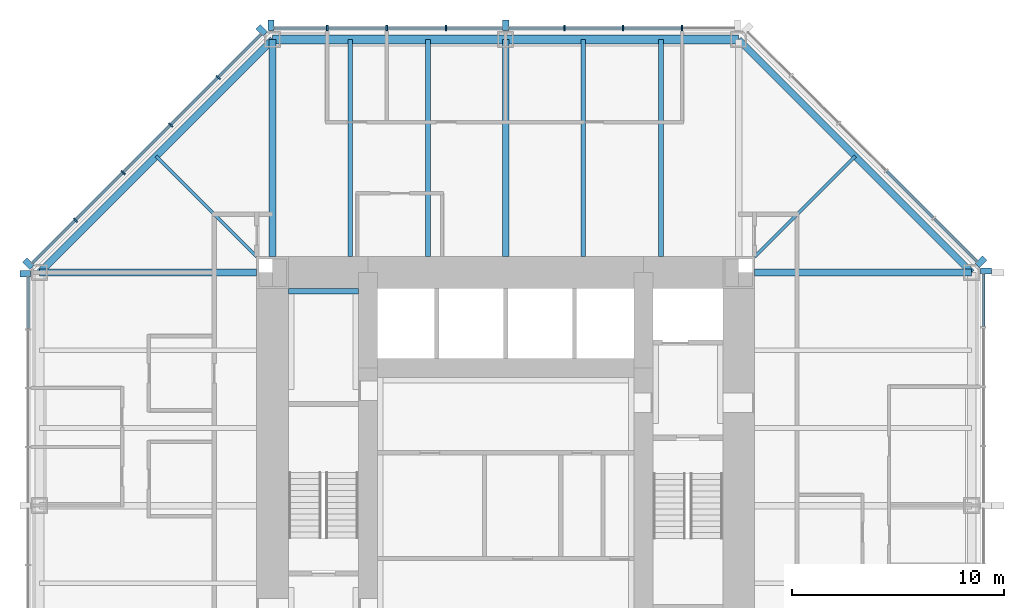
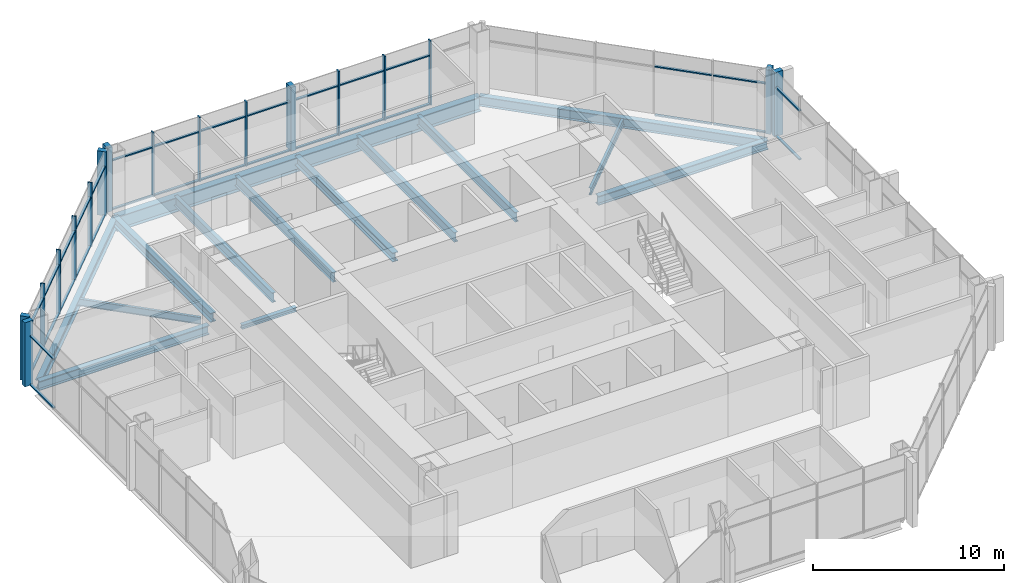
# One storey, part 5 of 12: 49 members, 15 beams, 5 elements without a shape of their own.
"""IFC4 building model written with IfcOpenShell, lengths in metres."""

from ifc_helpers import new_model, si_unit, direction, frame, origin, origin_2d, place, context, subcontext, project, spatial, rectangle, i_section, extrude, material, material_profile, profile_set, type_object, element, aggregate, save


model = new_model("IFC4")

# Units and contexts
model_context = context("Model", 3, precision=1e-05, world=origin(), true_north=direction((0.0, 1.0)))
body_context = subcontext(model_context, "Body", "Model", "MODEL_VIEW")
ifc_project = project(units=[si_unit("LENGTHUNIT", "METRE"), si_unit("AREAUNIT", "SQUARE_METRE"), si_unit("VOLUMEUNIT", "CUBIC_METRE"), si_unit("PLANEANGLEUNIT", "RADIAN"), si_unit("MASSUNIT", "GRAM", prefix="KILO")], contexts=[model_context])

# Site, building, storey
site_placement = place(None, origin())
site = spatial("IfcSite", under=ifc_project, at=site_placement, CompositionType="ELEMENT")
building_placement = place(site_placement, origin())
building = spatial("IfcBuilding", under=site, at=building_placement, Name="Trevanion Tower", CompositionType="ELEMENT")
storey_placement = place(building_placement, frame((0.0, 0.0, 137.699951171875)))
storey = spatial("IfcBuildingStorey", under=building, at=storey_placement, Name="L32", CompositionType="ELEMENT", Elevation=137.699951171875)

# Beams
ifc_material_1 = material(Name="Steel ASTM A992 Grade 50", Category="steel")
ifc_material_profile_1 = material_profile(ifc_material_1, i_section(OverallWidth=0.22900390625, OverallDepth=0.612060546875, WebThickness=0.011962890625, FlangeThickness=0.01953125, at=origin_2d()), Name="W24X84")
ifc_profile_set_1 = profile_set([ifc_material_profile_1], Name="Steel ASTM A992 Grade 50")
beam_type_1 = type_object("IfcBeamType", Name="B7 W24X84", PredefinedType="BEAM", material=ifc_profile_set_1)
for number, where, z_axis, x_axis, name in (
    (1, (7.333251953125, 11.75, -0.49609375), (0.0, 1.0, 0.0), (-1.0, 0.0, 0.0), "B7 L32"),
    (2, (3.666748046875, 11.75, -0.49609375), (0.0, 1.0, 0.0), (-1.0, 0.0, 0.0), "B7 L32"),
    (3, (-3.666748046875, 11.75, -0.49609375), (0.0, 1.0, 0.0), (-1.0, 0.0, 0.0), "B7 L32"),
    (4, (-7.333251953125, 11.75, -0.49609375), (0.0, 1.0, 0.0), (-1.0, 0.0, 0.0), "B7 L32"),
):
    element("IfcBeam", number, at=place(storey_placement, frame(where, z_axis=z_axis, x_axis=x_axis)), inside=storey, type_object=beam_type_1, Name=name, PredefinedType="BEAM", context=body_context, shape_type="SweptSolid", body=[
        extrude(i_section(OverallWidth=0.22900390625, OverallDepth=0.612060546875, WebThickness=0.011962890625, FlangeThickness=0.01953125, at=origin_2d()), origin(), (0.0, 0.0, 1.0), 10.25),
    ])
ifc_material_2 = material(Name="Steel ASTM A992 Grade 50", Category="steel")
ifc_material_profile_2 = material_profile(ifc_material_2, i_section(OverallWidth=0.15234375, OverallDepth=0.449462890625, WebThickness=0.007568359375, FlangeThickness=0.0107421875, at=origin_2d()), Name="W18X35")
ifc_profile_set_2 = profile_set([ifc_material_profile_2], Name="Steel ASTM A992 Grade 50")
beam_type_2 = type_object("IfcBeamType", Name="B8 W18X35", PredefinedType="BEAM", material=ifc_profile_set_2)
for number, where, z_axis, x_axis, name in (
    (5, (11.75, 11.75, -0.414794921875), (0.707106781187, 0.707106781187, 0.0), (-0.707106781187, 0.707106781187, 0.0), "B8 L32"),
    (6, (-11.75, 11.75, -0.414794921875), (-0.707106781187, 0.707106781187, 0.0), (-0.707106781187, -0.707106781187, 0.0), "B8 L32"),
):
    element("IfcBeam", number, at=place(storey_placement, frame(where, z_axis=z_axis, x_axis=x_axis)), inside=storey, type_object=beam_type_2, Name=name, PredefinedType="BEAM", context=body_context, shape_type="SweptSolid", body=[
        extrude(i_section(OverallWidth=0.15234375, OverallDepth=0.449462890625, WebThickness=0.007568359375, FlangeThickness=0.0107421875, at=origin_2d()), origin(), (0.0, 0.0, 1.0), 6.717529296875),
    ])

# Curtain wall, members
ifc_material_3 = material(Name="Aluminium and glass", Category="aluminium")
curtain_wall_type = type_object("IfcCurtainWallType", Name="CW2 curtain wall", PredefinedType="USERDEFINED", material=ifc_material_3)
curtain_wall_1_placement = place(storey_placement, origin())
curtain_wall_1 = element("IfcCurtainWall", 7, at=curtain_wall_1_placement, inside=storey, type_object=curtain_wall_type, Name="CW2 L32 2", ObjectType="UNITISED CURTAIN WALL", PredefinedType="USERDEFINED")
ifc_material_4 = material(Name="Aluminium extrusion, anodised bronze", Category="aluminium")
ifc_material_profile_3 = material_profile(ifc_material_4, rectangle(XDim=0.074951171875, YDim=0.25, at=origin_2d()), Name="CW2 mullion")
ifc_profile_set_3 = profile_set([ifc_material_profile_3], Name="Aluminium extrusion, anodised bronze")
member_type_1 = type_object("IfcMemberType", Name="CW2 mullion", PredefinedType="MULLION", material=ifc_profile_set_3)
member_1_placement = place(storey_placement, frame((8.323486328125, 22.550048828125, -0.18994140625), z_axis=(0.0, 0.0, 1.0), x_axis=(-1.0, 0.0, 0.0)))
member_1 = element("IfcMember", 8, at=member_1_placement, type_object=member_type_1, Name="CW2 mullion 2", PredefinedType="MULLION", context=body_context, shape_type="SweptSolid", body=[
    extrude(rectangle(XDim=0.074951171875, YDim=0.25, at=origin_2d()), origin(), (0.0, 0.0, 1.0), 4.10009765625),
])
member_2_placement = place(storey_placement, frame((5.548828125, 22.550048828125, -0.18994140625), z_axis=(0.0, 0.0, 1.0), x_axis=(-1.0, 0.0, 0.0)))
member_2 = element("IfcMember", 9, at=member_2_placement, type_object=member_type_1, Name="CW2 mullion 3", PredefinedType="MULLION", context=body_context, shape_type="SweptSolid", body=[
    extrude(rectangle(XDim=0.074951171875, YDim=0.25, at=origin_2d()), origin(), (0.0, 0.0, 1.0), 4.10009765625),
])
member_3_placement = place(storey_placement, frame((2.7744140625, 22.550048828125, -0.18994140625), z_axis=(0.0, 0.0, 1.0), x_axis=(-1.0, 0.0, 0.0)))
member_3 = element("IfcMember", 10, at=member_3_placement, type_object=member_type_1, Name="CW2 mullion 4", PredefinedType="MULLION", context=body_context, shape_type="SweptSolid", body=[
    extrude(rectangle(XDim=0.074951171875, YDim=0.25, at=origin_2d()), origin(), (0.0, 0.0, 1.0), 4.10009765625),
])
member_4_placement = place(storey_placement, frame((-2.806884765625, 22.550048828125, -0.18994140625), z_axis=(0.0, 0.0, 1.0), x_axis=(-1.0, 0.0, 0.0)))
member_4 = element("IfcMember", 11, at=member_4_placement, type_object=member_type_1, Name="CW2 mullion 6", PredefinedType="MULLION", context=body_context, shape_type="SweptSolid", body=[
    extrude(rectangle(XDim=0.074951171875, YDim=0.25, at=origin_2d()), origin(), (0.0, 0.0, 1.0), 4.10009765625),
])
member_5_placement = place(storey_placement, frame((-5.614013671875, 22.550048828125, -0.18994140625), z_axis=(0.0, 0.0, 1.0), x_axis=(-1.0, 0.0, 0.0)))
member_5 = element("IfcMember", 12, at=member_5_placement, type_object=member_type_1, Name="CW2 mullion 7", PredefinedType="MULLION", context=body_context, shape_type="SweptSolid", body=[
    extrude(rectangle(XDim=0.074951171875, YDim=0.25, at=origin_2d()), origin(), (0.0, 0.0, 1.0), 4.10009765625),
])
member_6_placement = place(storey_placement, frame((-8.4208984375, 22.550048828125, -0.18994140625), z_axis=(0.0, 0.0, 1.0), x_axis=(-1.0, 0.0, 0.0)))
member_6 = element("IfcMember", 13, at=member_6_placement, type_object=member_type_1, Name="CW2 mullion 8", PredefinedType="MULLION", context=body_context, shape_type="SweptSolid", body=[
    extrude(rectangle(XDim=0.074951171875, YDim=0.25, at=origin_2d()), origin(), (0.0, 0.0, 1.0), 4.10009765625),
])

curtain_wall_2_placement = place(storey_placement, origin())
curtain_wall_2 = element("IfcCurtainWall", 14, at=curtain_wall_2_placement, inside=storey, type_object=curtain_wall_type, Name="CW2 L32 3", ObjectType="UNITISED CURTAIN WALL", PredefinedType="USERDEFINED")
member_7_placement = place(storey_placement, frame((-13.56591796875, 20.2119140625, -0.18994140625), z_axis=(0.0, 0.0, 1.0), x_axis=(-0.707106781187, -0.707106781187, 0.0)))
member_7 = element("IfcMember", 15, at=member_7_placement, type_object=member_type_1, Name="CW2 mullion 2", PredefinedType="MULLION", context=body_context, shape_type="SweptSolid", body=[
    extrude(rectangle(XDim=0.074951171875, YDim=0.25, at=origin_2d()), origin(), (0.0, 0.0, 1.0), 4.10009765625),
])
member_8_placement = place(storey_placement, frame((-15.811767578125, 17.966064453125, -0.18994140625), z_axis=(0.0, 0.0, 1.0), x_axis=(-0.707106781187, -0.707106781187, 0.0)))
member_8 = element("IfcMember", 16, at=member_8_placement, type_object=member_type_1, Name="CW2 mullion 3", PredefinedType="MULLION", context=body_context, shape_type="SweptSolid", body=[
    extrude(rectangle(XDim=0.074951171875, YDim=0.25, at=origin_2d()), origin(), (0.0, 0.0, 1.0), 4.10009765625),
])
member_9_placement = place(storey_placement, frame((-18.057861328125, 15.719970703125, -0.18994140625), z_axis=(0.0, 0.0, 1.0), x_axis=(-0.707106781187, -0.707106781187, 0.0)))
member_9 = element("IfcMember", 17, at=member_9_placement, type_object=member_type_1, Name="CW2 mullion 4", PredefinedType="MULLION", context=body_context, shape_type="SweptSolid", body=[
    extrude(rectangle(XDim=0.074951171875, YDim=0.25, at=origin_2d()), origin(), (0.0, 0.0, 1.0), 4.10009765625),
])
member_10_placement = place(storey_placement, frame((-20.303955078125, 13.473876953125, -0.18994140625), z_axis=(0.0, 0.0, 1.0), x_axis=(-0.707106781187, -0.707106781187, 0.0)))
member_10 = element("IfcMember", 18, at=member_10_placement, type_object=member_type_1, Name="CW2 mullion 5", PredefinedType="MULLION", context=body_context, shape_type="SweptSolid", body=[
    extrude(rectangle(XDim=0.074951171875, YDim=0.25, at=origin_2d()), origin(), (0.0, 0.0, 1.0), 4.10009765625),
])

# Curtain wall, member
curtain_wall_3_placement = place(storey_placement, origin())
curtain_wall_3 = element("IfcCurtainWall", 19, at=curtain_wall_3_placement, inside=storey, type_object=curtain_wall_type, Name="CW2 L32 0", ObjectType="UNITISED CURTAIN WALL", PredefinedType="USERDEFINED")
ifc_material_5 = material(Name="Aluminium extrusion, anodised bronze", Category="aluminium")
ifc_material_profile_4 = material_profile(ifc_material_5, rectangle(XDim=0.300048828125, YDim=0.5, at=origin_2d()), Name="CW2 pier mullion")
ifc_profile_set_4 = profile_set([ifc_material_profile_4], Name="Aluminium extrusion, anodised bronze")
member_type_2 = type_object("IfcMemberType", Name="CW2 pier mullion", PredefinedType="MULLION", material=ifc_profile_set_4)
member_11_placement = place(storey_placement, frame((22.675048828125, 11.077880859375, -0.18994140625), z_axis=(0.0, 0.0, 1.0), x_axis=(0.0, 1.0, 0.0)))
member_11 = element("IfcMember", 20, at=member_11_placement, type_object=member_type_2, Name="CW2 pier mullion 9", PredefinedType="MULLION", context=body_context, shape_type="SweptSolid", body=[
    extrude(rectangle(XDim=0.300048828125, YDim=0.5, at=origin_2d()), origin(), (0.0, 0.0, 1.0), 4.10009765625),
])

curtain_wall_4_placement = place(storey_placement, origin())
curtain_wall_4 = element("IfcCurtainWall", 21, at=curtain_wall_4_placement, inside=storey, type_object=curtain_wall_type, Name="CW2 L32 1", ObjectType="UNITISED CURTAIN WALL", PredefinedType="USERDEFINED")
member_12_placement = place(storey_placement, frame((22.4404296875, 11.51416015625, -0.18994140625), z_axis=(0.0, 0.0, 1.0), x_axis=(-0.707106781187, 0.707106781187, 0.0)))
member_12 = element("IfcMember", 22, at=member_12_placement, type_object=member_type_2, Name="CW2 pier mullion 1", PredefinedType="MULLION", context=body_context, shape_type="SweptSolid", body=[
    extrude(rectangle(XDim=0.300048828125, YDim=0.5, at=origin_2d()), origin(), (0.0, 0.0, 1.0), 4.10009765625),
])

# Member
member_13_placement = place(storey_placement, frame((0.0, 22.675048828125, -0.18994140625), z_axis=(0.0, 0.0, 1.0), x_axis=(-1.0, 0.0, 0.0)))
member_13 = element("IfcMember", 23, at=member_13_placement, type_object=member_type_2, Name="CW2 pier mullion 5", PredefinedType="MULLION", context=body_context, shape_type="SweptSolid", body=[
    extrude(rectangle(XDim=0.300048828125, YDim=0.5, at=origin_2d()), origin(), (0.0, 0.0, 1.0), 4.10009765625),
])

member_14_placement = place(storey_placement, frame((-11.077880859375, 22.675048828125, -0.18994140625), z_axis=(0.0, 0.0, 1.0), x_axis=(-1.0, 0.0, 0.0)))
member_14 = element("IfcMember", 24, at=member_14_placement, type_object=member_type_2, Name="CW2 pier mullion 9", PredefinedType="MULLION", context=body_context, shape_type="SweptSolid", body=[
    extrude(rectangle(XDim=0.300048828125, YDim=0.5, at=origin_2d()), origin(), (0.0, 0.0, 1.0), 4.10009765625),
])

member_15_placement = place(storey_placement, frame((-11.51416015625, 22.4404296875, -0.18994140625), z_axis=(0.0, 0.0, 1.0), x_axis=(-0.707106781187, -0.707106781187, 0.0)))
member_15 = element("IfcMember", 25, at=member_15_placement, type_object=member_type_2, Name="CW2 pier mullion 1", PredefinedType="MULLION", context=body_context, shape_type="SweptSolid", body=[
    extrude(rectangle(XDim=0.300048828125, YDim=0.5, at=origin_2d()), origin(), (0.0, 0.0, 1.0), 4.10009765625),
])

member_16_placement = place(storey_placement, frame((-22.5322265625, 11.42236328125, -0.18994140625), z_axis=(0.0, 0.0, 1.0), x_axis=(-0.707106781187, -0.707106781187, 0.0)))
member_16 = element("IfcMember", 26, at=member_16_placement, type_object=member_type_2, Name="CW2 pier mullion 6", PredefinedType="MULLION", context=body_context, shape_type="SweptSolid", body=[
    extrude(rectangle(XDim=0.300048828125, YDim=0.5, at=origin_2d()), origin(), (0.0, 0.0, 1.0), 4.10009765625),
])

# Curtain wall, member
curtain_wall_5_placement = place(storey_placement, origin())
curtain_wall_5 = element("IfcCurtainWall", 27, at=curtain_wall_5_placement, inside=storey, type_object=curtain_wall_type, Name="CW2 L32 4", ObjectType="UNITISED CURTAIN WALL", PredefinedType="USERDEFINED")
member_17_placement = place(storey_placement, frame((-22.675048828125, 10.94775390625, -0.18994140625), z_axis=(0.0, 0.0, 1.0), x_axis=(0.0, -1.0, 0.0)))
member_17 = element("IfcMember", 28, at=member_17_placement, type_object=member_type_2, Name="CW2 pier mullion 1", PredefinedType="MULLION", context=body_context, shape_type="SweptSolid", body=[
    extrude(rectangle(XDim=0.300048828125, YDim=0.5, at=origin_2d()), origin(), (0.0, 0.0, 1.0), 4.10009765625),
])

# Member
ifc_material_6 = material(Name="Aluminium extrusion, anodised bronze", Category="aluminium")
ifc_material_profile_5 = material_profile(ifc_material_6, rectangle(XDim=0.14990234375, YDim=0.074951171875, at=origin_2d()), Name="CW2 transom")
ifc_profile_set_5 = profile_set([ifc_material_profile_5], Name="Aluminium extrusion, anodised bronze")
member_type_3 = type_object("IfcMemberType", Name="CW2 transom", PredefinedType="USERDEFINED", material=ifc_profile_set_5)
member_18_placement = place(storey_placement, frame((22.550048828125, 8.45849609375, -0.15234375), z_axis=(0.0, 1.0, 0.0), x_axis=(-1.0, 0.0, 0.0)))
member_18 = element("IfcMember", 29, at=member_18_placement, type_object=member_type_3, Name="CW2 transom 8.1", ObjectType="TRANSOM", PredefinedType="USERDEFINED", context=body_context, shape_type="SweptSolid", body=[
    extrude(rectangle(XDim=0.14990234375, YDim=0.074951171875, at=origin_2d()), origin(), (0.0, 0.0, 1.0), 2.46923828125),
])

member_19_placement = place(storey_placement, frame((22.550048828125, 8.45849609375, 2.9599609375), z_axis=(0.0, 1.0, 0.0), x_axis=(-1.0, 0.0, 0.0)))
member_19 = element("IfcMember", 30, at=member_19_placement, type_object=member_type_3, Name="CW2 transom 8.2", ObjectType="TRANSOM", PredefinedType="USERDEFINED", context=body_context, shape_type="SweptSolid", body=[
    extrude(rectangle(XDim=0.14990234375, YDim=0.074951171875, at=origin_2d()), origin(), (0.0, 0.0, 1.0), 2.46923828125),
])

aggregate(curtain_wall_3, [member_11, member_18, member_19])

member_20_placement = place(storey_placement, frame((22.245849609375, 11.531982421875, -0.15234375), z_axis=(-0.707106781187, 0.707106781187, 0.0), x_axis=(-0.707106781187, -0.707106781187, 0.0)))
member_20 = element("IfcMember", 31, at=member_20_placement, type_object=member_type_3, Name="CW2 transom 1.1", ObjectType="TRANSOM", PredefinedType="USERDEFINED", context=body_context, shape_type="SweptSolid", body=[
    extrude(rectangle(XDim=0.14990234375, YDim=0.074951171875, at=origin_2d()), origin(), (0.0, 0.0, 1.0), 2.8388671875),
])

member_21_placement = place(storey_placement, frame((22.245849609375, 11.531982421875, 2.9599609375), z_axis=(-0.707106781187, 0.707106781187, 0.0), x_axis=(-0.707106781187, -0.707106781187, 0.0)))
member_21 = element("IfcMember", 32, at=member_21_placement, type_object=member_type_3, Name="CW2 transom 1.2", ObjectType="TRANSOM", PredefinedType="USERDEFINED", context=body_context, shape_type="SweptSolid", body=[
    extrude(rectangle(XDim=0.14990234375, YDim=0.074951171875, at=origin_2d()), origin(), (0.0, 0.0, 1.0), 2.8388671875),
])

member_22_placement = place(storey_placement, frame((20.185546875, 13.59228515625, -0.15234375), z_axis=(-0.707106781187, 0.707106781187, 0.0), x_axis=(-0.707106781187, -0.707106781187, 0.0)))
member_22 = element("IfcMember", 33, at=member_22_placement, type_object=member_type_3, Name="CW2 transom 2.1", ObjectType="TRANSOM", PredefinedType="USERDEFINED", context=body_context, shape_type="SweptSolid", body=[
    extrude(rectangle(XDim=0.14990234375, YDim=0.074951171875, at=origin_2d()), origin(), (0.0, 0.0, 1.0), 3.1015625),
])

member_23_placement = place(storey_placement, frame((20.185546875, 13.59228515625, 2.9599609375), z_axis=(-0.707106781187, 0.707106781187, 0.0), x_axis=(-0.707106781187, -0.707106781187, 0.0)))
member_23 = element("IfcMember", 34, at=member_23_placement, type_object=member_type_3, Name="CW2 transom 2.2", ObjectType="TRANSOM", PredefinedType="USERDEFINED", context=body_context, shape_type="SweptSolid", body=[
    extrude(rectangle(XDim=0.14990234375, YDim=0.074951171875, at=origin_2d()), origin(), (0.0, 0.0, 1.0), 3.1015625),
])

aggregate(curtain_wall_4, [member_12, member_20, member_21, member_22, member_23])

member_24_placement = place(storey_placement, frame((8.285888671875, 22.550048828125, -0.15234375), z_axis=(-1.0, 0.0, 0.0), x_axis=(0.0, -1.0, 0.0)))
member_24 = element("IfcMember", 35, at=member_24_placement, type_object=member_type_3, Name="CW2 transom 2.1", ObjectType="TRANSOM", PredefinedType="USERDEFINED", context=body_context, shape_type="SweptSolid", body=[
    extrude(rectangle(XDim=0.14990234375, YDim=0.074951171875, at=origin_2d()), origin(), (0.0, 0.0, 1.0), 2.699462890625),
])

member_25_placement = place(storey_placement, frame((8.285888671875, 22.550048828125, 2.9599609375), z_axis=(-1.0, 0.0, 0.0), x_axis=(0.0, -1.0, 0.0)))
member_25 = element("IfcMember", 36, at=member_25_placement, type_object=member_type_3, Name="CW2 transom 2.2", ObjectType="TRANSOM", PredefinedType="USERDEFINED", context=body_context, shape_type="SweptSolid", body=[
    extrude(rectangle(XDim=0.14990234375, YDim=0.074951171875, at=origin_2d()), origin(), (0.0, 0.0, 1.0), 2.699462890625),
])

member_26_placement = place(storey_placement, frame((5.511474609375, 22.550048828125, -0.15234375), z_axis=(-1.0, 0.0, 0.0), x_axis=(0.0, -1.0, 0.0)))
member_26 = element("IfcMember", 37, at=member_26_placement, type_object=member_type_3, Name="CW2 transom 3.1", ObjectType="TRANSOM", PredefinedType="USERDEFINED", context=body_context, shape_type="SweptSolid", body=[
    extrude(rectangle(XDim=0.14990234375, YDim=0.074951171875, at=origin_2d()), origin(), (0.0, 0.0, 1.0), 2.699462890625),
])

member_27_placement = place(storey_placement, frame((5.511474609375, 22.550048828125, 2.9599609375), z_axis=(-1.0, 0.0, 0.0), x_axis=(0.0, -1.0, 0.0)))
member_27 = element("IfcMember", 38, at=member_27_placement, type_object=member_type_3, Name="CW2 transom 3.2", ObjectType="TRANSOM", PredefinedType="USERDEFINED", context=body_context, shape_type="SweptSolid", body=[
    extrude(rectangle(XDim=0.14990234375, YDim=0.074951171875, at=origin_2d()), origin(), (0.0, 0.0, 1.0), 2.699462890625),
])

member_28_placement = place(storey_placement, frame((2.737060546875, 22.550048828125, -0.15234375), z_axis=(-1.0, 0.0, 0.0), x_axis=(0.0, -1.0, 0.0)))
member_28 = element("IfcMember", 39, at=member_28_placement, type_object=member_type_3, Name="CW2 transom 4.1", ObjectType="TRANSOM", PredefinedType="USERDEFINED", context=body_context, shape_type="SweptSolid", body=[
    extrude(rectangle(XDim=0.14990234375, YDim=0.074951171875, at=origin_2d()), origin(), (0.0, 0.0, 1.0), 2.587158203125),
])

member_29_placement = place(storey_placement, frame((2.737060546875, 22.550048828125, 2.9599609375), z_axis=(-1.0, 0.0, 0.0), x_axis=(0.0, -1.0, 0.0)))
member_29 = element("IfcMember", 40, at=member_29_placement, type_object=member_type_3, Name="CW2 transom 4.2", ObjectType="TRANSOM", PredefinedType="USERDEFINED", context=body_context, shape_type="SweptSolid", body=[
    extrude(rectangle(XDim=0.14990234375, YDim=0.074951171875, at=origin_2d()), origin(), (0.0, 0.0, 1.0), 2.587158203125),
])

member_30_placement = place(storey_placement, frame((-0.14990234375, 22.550048828125, -0.15234375), z_axis=(-1.0, 0.0, 0.0), x_axis=(0.0, -1.0, 0.0)))
member_30 = element("IfcMember", 41, at=member_30_placement, type_object=member_type_3, Name="CW2 transom 5.1", ObjectType="TRANSOM", PredefinedType="USERDEFINED", context=body_context, shape_type="SweptSolid", body=[
    extrude(rectangle(XDim=0.14990234375, YDim=0.074951171875, at=origin_2d()), origin(), (0.0, 0.0, 1.0), 2.619384765625),
])

member_31_placement = place(storey_placement, frame((-0.14990234375, 22.550048828125, 2.9599609375), z_axis=(-1.0, 0.0, 0.0), x_axis=(0.0, -1.0, 0.0)))
member_31 = element("IfcMember", 42, at=member_31_placement, type_object=member_type_3, Name="CW2 transom 5.2", ObjectType="TRANSOM", PredefinedType="USERDEFINED", context=body_context, shape_type="SweptSolid", body=[
    extrude(rectangle(XDim=0.14990234375, YDim=0.074951171875, at=origin_2d()), origin(), (0.0, 0.0, 1.0), 2.619384765625),
])

member_32_placement = place(storey_placement, frame((-2.844482421875, 22.550048828125, -0.15234375), z_axis=(-1.0, 0.0, 0.0), x_axis=(0.0, -1.0, 0.0)))
member_32 = element("IfcMember", 43, at=member_32_placement, type_object=member_type_3, Name="CW2 transom 6.1", ObjectType="TRANSOM", PredefinedType="USERDEFINED", context=body_context, shape_type="SweptSolid", body=[
    extrude(rectangle(XDim=0.14990234375, YDim=0.074951171875, at=origin_2d()), origin(), (0.0, 0.0, 1.0), 2.73193359375),
])

member_33_placement = place(storey_placement, frame((-2.844482421875, 22.550048828125, 2.9599609375), z_axis=(-1.0, 0.0, 0.0), x_axis=(0.0, -1.0, 0.0)))
member_33 = element("IfcMember", 44, at=member_33_placement, type_object=member_type_3, Name="CW2 transom 6.2", ObjectType="TRANSOM", PredefinedType="USERDEFINED", context=body_context, shape_type="SweptSolid", body=[
    extrude(rectangle(XDim=0.14990234375, YDim=0.074951171875, at=origin_2d()), origin(), (0.0, 0.0, 1.0), 2.73193359375),
])

member_34_placement = place(storey_placement, frame((-5.6513671875, 22.550048828125, -0.15234375), z_axis=(-1.0, 0.0, 0.0), x_axis=(0.0, -1.0, 0.0)))
member_34 = element("IfcMember", 45, at=member_34_placement, type_object=member_type_3, Name="CW2 transom 7.1", ObjectType="TRANSOM", PredefinedType="USERDEFINED", context=body_context, shape_type="SweptSolid", body=[
    extrude(rectangle(XDim=0.14990234375, YDim=0.074951171875, at=origin_2d()), origin(), (0.0, 0.0, 1.0), 2.73193359375),
])

member_35_placement = place(storey_placement, frame((-5.6513671875, 22.550048828125, 2.9599609375), z_axis=(-1.0, 0.0, 0.0), x_axis=(0.0, -1.0, 0.0)))
member_35 = element("IfcMember", 46, at=member_35_placement, type_object=member_type_3, Name="CW2 transom 7.2", ObjectType="TRANSOM", PredefinedType="USERDEFINED", context=body_context, shape_type="SweptSolid", body=[
    extrude(rectangle(XDim=0.14990234375, YDim=0.074951171875, at=origin_2d()), origin(), (0.0, 0.0, 1.0), 2.73193359375),
])

member_36_placement = place(storey_placement, frame((-8.45849609375, 22.550048828125, -0.15234375), z_axis=(-1.0, 0.0, 0.0), x_axis=(0.0, -1.0, 0.0)))
member_36 = element("IfcMember", 47, at=member_36_placement, type_object=member_type_3, Name="CW2 transom 8.1", ObjectType="TRANSOM", PredefinedType="USERDEFINED", context=body_context, shape_type="SweptSolid", body=[
    extrude(rectangle(XDim=0.14990234375, YDim=0.074951171875, at=origin_2d()), origin(), (0.0, 0.0, 1.0), 2.46923828125),
])

member_37_placement = place(storey_placement, frame((-8.45849609375, 22.550048828125, 2.9599609375), z_axis=(-1.0, 0.0, 0.0), x_axis=(0.0, -1.0, 0.0)))
member_37 = element("IfcMember", 48, at=member_37_placement, type_object=member_type_3, Name="CW2 transom 8.2", ObjectType="TRANSOM", PredefinedType="USERDEFINED", context=body_context, shape_type="SweptSolid", body=[
    extrude(rectangle(XDim=0.14990234375, YDim=0.074951171875, at=origin_2d()), origin(), (0.0, 0.0, 1.0), 2.46923828125),
])

aggregate(curtain_wall_1, [member_1, member_2, member_3, member_13, member_4, member_5, member_6, member_14, member_24, member_25, member_26, member_27, member_28, member_29, member_30, member_31, member_32, member_33, member_34, member_35, member_36, member_37])

member_38_placement = place(storey_placement, frame((-11.531982421875, 22.245849609375, -0.15234375), z_axis=(-0.707106781187, -0.707106781187, 0.0), x_axis=(0.707106781187, -0.707106781187, 0.0)))
member_38 = element("IfcMember", 49, at=member_38_placement, type_object=member_type_3, Name="CW2 transom 1.1", ObjectType="TRANSOM", PredefinedType="USERDEFINED", context=body_context, shape_type="SweptSolid", body=[
    extrude(rectangle(XDim=0.14990234375, YDim=0.074951171875, at=origin_2d()), origin(), (0.0, 0.0, 1.0), 2.8388671875),
])

member_39_placement = place(storey_placement, frame((-11.531982421875, 22.245849609375, 2.9599609375), z_axis=(-0.707106781187, -0.707106781187, 0.0), x_axis=(0.707106781187, -0.707106781187, 0.0)))
member_39 = element("IfcMember", 50, at=member_39_placement, type_object=member_type_3, Name="CW2 transom 1.2", ObjectType="TRANSOM", PredefinedType="USERDEFINED", context=body_context, shape_type="SweptSolid", body=[
    extrude(rectangle(XDim=0.14990234375, YDim=0.074951171875, at=origin_2d()), origin(), (0.0, 0.0, 1.0), 2.8388671875),
])

member_40_placement = place(storey_placement, frame((-13.59228515625, 20.185546875, -0.15234375), z_axis=(-0.707106781187, -0.707106781187, 0.0), x_axis=(0.707106781187, -0.707106781187, 0.0)))
member_40 = element("IfcMember", 51, at=member_40_placement, type_object=member_type_3, Name="CW2 transom 2.1", ObjectType="TRANSOM", PredefinedType="USERDEFINED", context=body_context, shape_type="SweptSolid", body=[
    extrude(rectangle(XDim=0.14990234375, YDim=0.074951171875, at=origin_2d()), origin(), (0.0, 0.0, 1.0), 3.1015625),
])

member_41_placement = place(storey_placement, frame((-13.59228515625, 20.185546875, 2.9599609375), z_axis=(-0.707106781187, -0.707106781187, 0.0), x_axis=(0.707106781187, -0.707106781187, 0.0)))
member_41 = element("IfcMember", 52, at=member_41_placement, type_object=member_type_3, Name="CW2 transom 2.2", ObjectType="TRANSOM", PredefinedType="USERDEFINED", context=body_context, shape_type="SweptSolid", body=[
    extrude(rectangle(XDim=0.14990234375, YDim=0.074951171875, at=origin_2d()), origin(), (0.0, 0.0, 1.0), 3.1015625),
])

member_42_placement = place(storey_placement, frame((-15.83837890625, 17.939453125, -0.15234375), z_axis=(-0.707106781187, -0.707106781187, 0.0), x_axis=(0.707106781187, -0.707106781187, 0.0)))
member_42 = element("IfcMember", 53, at=member_42_placement, type_object=member_type_3, Name="CW2 transom 3.1", ObjectType="TRANSOM", PredefinedType="USERDEFINED", context=body_context, shape_type="SweptSolid", body=[
    extrude(rectangle(XDim=0.14990234375, YDim=0.074951171875, at=origin_2d()), origin(), (0.0, 0.0, 1.0), 3.1015625),
])

member_43_placement = place(storey_placement, frame((-15.83837890625, 17.939453125, 2.9599609375), z_axis=(-0.707106781187, -0.707106781187, 0.0), x_axis=(0.707106781187, -0.707106781187, 0.0)))
member_43 = element("IfcMember", 54, at=member_43_placement, type_object=member_type_3, Name="CW2 transom 3.2", ObjectType="TRANSOM", PredefinedType="USERDEFINED", context=body_context, shape_type="SweptSolid", body=[
    extrude(rectangle(XDim=0.14990234375, YDim=0.074951171875, at=origin_2d()), origin(), (0.0, 0.0, 1.0), 3.1015625),
])

member_44_placement = place(storey_placement, frame((-18.08447265625, 15.693359375, -0.15234375), z_axis=(-0.707106781187, -0.707106781187, 0.0), x_axis=(0.707106781187, -0.707106781187, 0.0)))
member_44 = element("IfcMember", 55, at=member_44_placement, type_object=member_type_3, Name="CW2 transom 4.1", ObjectType="TRANSOM", PredefinedType="USERDEFINED", context=body_context, shape_type="SweptSolid", body=[
    extrude(rectangle(XDim=0.14990234375, YDim=0.074951171875, at=origin_2d()), origin(), (0.0, 0.0, 1.0), 3.10107421875),
])

member_45_placement = place(storey_placement, frame((-18.08447265625, 15.693359375, 2.9599609375), z_axis=(-0.707106781187, -0.707106781187, 0.0), x_axis=(0.707106781187, -0.707106781187, 0.0)))
member_45 = element("IfcMember", 56, at=member_45_placement, type_object=member_type_3, Name="CW2 transom 4.2", ObjectType="TRANSOM", PredefinedType="USERDEFINED", context=body_context, shape_type="SweptSolid", body=[
    extrude(rectangle(XDim=0.14990234375, YDim=0.074951171875, at=origin_2d()), origin(), (0.0, 0.0, 1.0), 3.10107421875),
])

member_46_placement = place(storey_placement, frame((-20.33056640625, 13.447509765625, -0.15234375), z_axis=(-0.707063781595, -0.707149778163, 0.0), x_axis=(0.707149778163, -0.707063781595, 0.0)))
member_46 = element("IfcMember", 57, at=member_46_placement, type_object=member_type_3, Name="CW2 transom 5.1", ObjectType="TRANSOM", PredefinedType="USERDEFINED", context=body_context, shape_type="SweptSolid", body=[
    extrude(rectangle(XDim=0.14990234375, YDim=0.074951171875, at=origin_2d()), origin(), (0.0, 0.0, 1.0), 2.8388671875),
])

member_47_placement = place(storey_placement, frame((-20.33056640625, 13.447509765625, 2.9599609375), z_axis=(-0.707063781595, -0.707149778163, 0.0), x_axis=(0.707149778163, -0.707063781595, 0.0)))
member_47 = element("IfcMember", 58, at=member_47_placement, type_object=member_type_3, Name="CW2 transom 5.2", ObjectType="TRANSOM", PredefinedType="USERDEFINED", context=body_context, shape_type="SweptSolid", body=[
    extrude(rectangle(XDim=0.14990234375, YDim=0.074951171875, at=origin_2d()), origin(), (0.0, 0.0, 1.0), 2.8388671875),
])

aggregate(curtain_wall_2, [member_15, member_7, member_8, member_9, member_10, member_16, member_38, member_39, member_40, member_41, member_42, member_43, member_44, member_45, member_46, member_47])

member_48_placement = place(storey_placement, frame((-22.550048828125, 10.7978515625, -0.15234375), z_axis=(0.0, -1.0, 0.0), x_axis=(1.0, 0.0, 0.0)))
member_48 = element("IfcMember", 59, at=member_48_placement, type_object=member_type_3, Name="CW2 transom 1.1", ObjectType="TRANSOM", PredefinedType="USERDEFINED", context=body_context, shape_type="SweptSolid", body=[
    extrude(rectangle(XDim=0.14990234375, YDim=0.074951171875, at=origin_2d()), origin(), (0.0, 0.0, 1.0), 2.43701171875),
])

member_49_placement = place(storey_placement, frame((-22.550048828125, 10.7978515625, 2.9599609375), z_axis=(0.0, -1.0, 0.0), x_axis=(1.0, 0.0, 0.0)))
member_49 = element("IfcMember", 60, at=member_49_placement, type_object=member_type_3, Name="CW2 transom 1.2", ObjectType="TRANSOM", PredefinedType="USERDEFINED", context=body_context, shape_type="SweptSolid", body=[
    extrude(rectangle(XDim=0.14990234375, YDim=0.074951171875, at=origin_2d()), origin(), (0.0, 0.0, 1.0), 2.43701171875),
])

aggregate(curtain_wall_5, [member_17, member_48, member_49])

# Beams
ifc_material_7 = material(Name="Steel ASTM A992 Grade 50", Category="steel")
ifc_material_profile_6 = material_profile(ifc_material_7, i_section(OverallWidth=0.320068359375, OverallDepth=0.584228515625, WebThickness=0.023193359375, FlangeThickness=0.04150390625, at=origin_2d()), Name="W21X201")
ifc_profile_set_6 = profile_set([ifc_material_profile_6], Name="Steel ASTM A992 Grade 50")
beam_type_3 = type_object("IfcBeamType", Name="G4 W21X201", PredefinedType="BEAM", material=ifc_profile_set_6)
for number, where, z_axis, x_axis, name in (
    (61, (11.75, 11.0, -0.48193359375), (1.0, 0.0, 0.0), (0.0, 1.0, 0.0), "G4 L32"),
    (62, (0.0, 11.75, -0.48193359375), (0.0, 1.0, 0.0), (-1.0, 0.0, 0.0), "G4 L32"),
    (63, (-11.0, 11.75, -0.48193359375), (0.0, 1.0, 0.0), (-1.0, 0.0, 0.0), "G4 L32"),
    (64, (-11.75, 11.0, -0.48193359375), (-1.0, 0.0, 0.0), (0.0, -1.0, 0.0), "G4 L32"),
):
    element("IfcBeam", number, at=place(storey_placement, frame(where, z_axis=z_axis, x_axis=x_axis)), inside=storey, type_object=beam_type_3, Name=name, PredefinedType="BEAM", context=body_context, shape_type="SweptSolid", body=[
        extrude(i_section(OverallWidth=0.320068359375, OverallDepth=0.584228515625, WebThickness=0.023193359375, FlangeThickness=0.04150390625, at=origin_2d()), origin(), (0.0, 0.0, 1.0), 10.25),
    ])
ifc_material_8 = material(Name="Steel ASTM A992 Grade 50", Category="steel")
ifc_material_profile_7 = material_profile(ifc_material_8, i_section(OverallWidth=0.256591796875, OverallDepth=0.26416015625, WebThickness=0.011962890625, FlangeThickness=0.01953125, at=origin_2d()), Name="W10X68")
ifc_profile_set_7 = profile_set([ifc_material_profile_7], Name="Steel ASTM A992 Grade 50")
beam_type_4 = type_object("IfcBeamType", Name="LB1 W10X68", PredefinedType="BEAM", material=ifc_profile_set_7)
beam_placement = place(storey_placement, frame((-10.25, 10.12158203125, -0.33203125), z_axis=(1.0, 0.0, 0.0), x_axis=(0.0, 1.0, 0.0)))
element("IfcBeam", 65, at=beam_placement, inside=storey, type_object=beam_type_4, Name="LB1 L32", PredefinedType="BEAM", context=body_context, shape_type="SweptSolid", body=[
    extrude(i_section(OverallWidth=0.256591796875, OverallDepth=0.26416015625, WebThickness=0.011962890625, FlangeThickness=0.01953125, at=origin_2d()), origin(), (0.0, 0.0, 1.0), 3.300048828125),
])
ifc_material_9 = material(Name="Steel ASTM A992 Grade 50", Category="steel")
ifc_material_profile_8 = material_profile(ifc_material_9, i_section(OverallWidth=0.419189453125, OverallDepth=0.927001953125, WebThickness=0.019287109375, FlangeThickness=0.031982421875, at=origin_2d()), Name="W36X231")
ifc_profile_set_8 = profile_set([ifc_material_profile_8], Name="Steel ASTM A992 Grade 50")
beam_type_5 = type_object("IfcBeamType", Name="SB4 W36X231", PredefinedType="SPANDREL", material=ifc_profile_set_8)
for number, where, z_axis, x_axis, name in (
    (66, (11.0, 22.0, -0.653564453125), (-1.0, 0.0, 0.0), (0.0, -1.0, 0.0), "SB4 L32"),
    (67, (0.0, 22.0, -0.653564453125), (-1.0, 0.0, 0.0), (0.0, -1.0, 0.0), "SB4 L32"),
):
    element("IfcBeam", number, at=place(storey_placement, frame(where, z_axis=z_axis, x_axis=x_axis)), inside=storey, type_object=beam_type_5, Name=name, PredefinedType="SPANDREL", context=body_context, shape_type="SweptSolid", body=[
        extrude(i_section(OverallWidth=0.419189453125, OverallDepth=0.927001953125, WebThickness=0.019287109375, FlangeThickness=0.031982421875, at=origin_2d()), origin(), (0.0, 0.0, 1.0), 11.0),
    ])
ifc_material_10 = material(Name="Steel ASTM A992 Grade 50", Category="steel")
ifc_material_profile_9 = material_profile(ifc_material_10, i_section(OverallWidth=0.32763671875, OverallDepth=0.62744140625, WebThickness=0.0166015625, FlangeThickness=0.027587890625, at=origin_2d()), Name="W24X146")
ifc_profile_set_9 = profile_set([ifc_material_profile_9], Name="Steel ASTM A992 Grade 50")
beam_type_6 = type_object("IfcBeamType", Name="SB5 W24X146", PredefinedType="SPANDREL", material=ifc_profile_set_9)
for number, where, z_axis, x_axis, name in (
    (68, (22.0, 11.0, -0.503662109375), (-0.707106781187, 0.707106781187, 0.0), (-0.707106781187, -0.707106781187, 0.0), "SB5 L32"),
    (69, (-11.0, 22.0, -0.503662109375), (-0.707106781187, -0.707106781187, 0.0), (0.707106781187, -0.707106781187, 0.0), "SB5 L32"),
):
    element("IfcBeam", number, at=place(storey_placement, frame(where, z_axis=z_axis, x_axis=x_axis)), inside=storey, type_object=beam_type_6, Name=name, PredefinedType="SPANDREL", context=body_context, shape_type="SweptSolid", body=[
        extrude(i_section(OverallWidth=0.32763671875, OverallDepth=0.62744140625, WebThickness=0.0166015625, FlangeThickness=0.027587890625, at=origin_2d()), origin(), (0.0, 0.0, 1.0), 15.556396484375),
    ])

save(model, "model.ifc")
